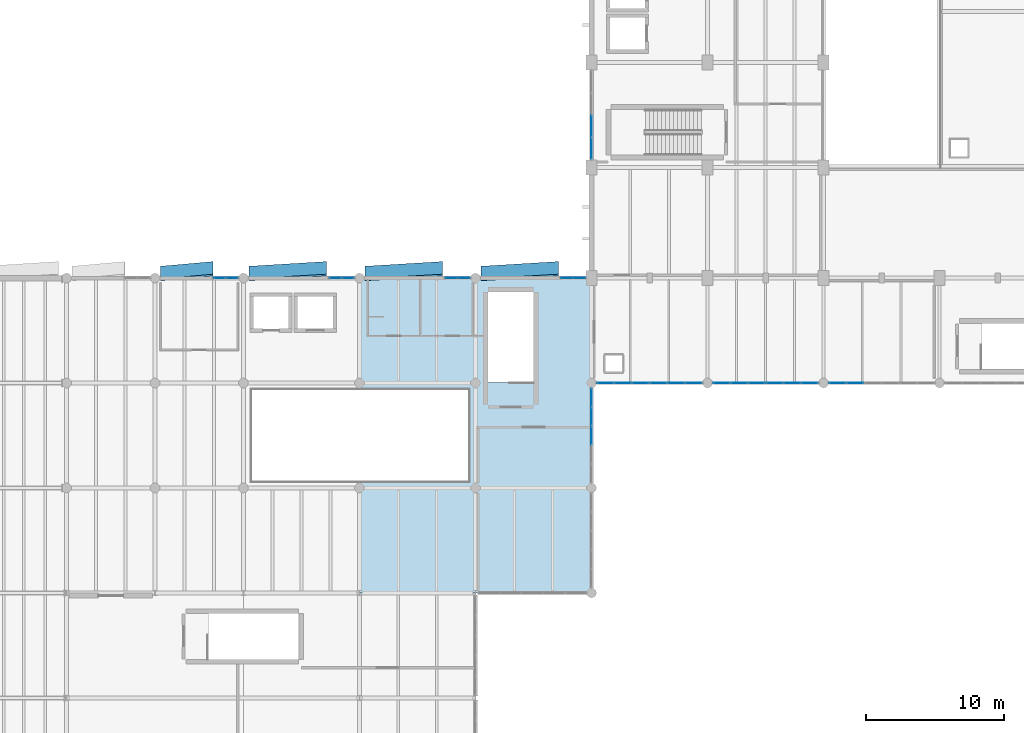
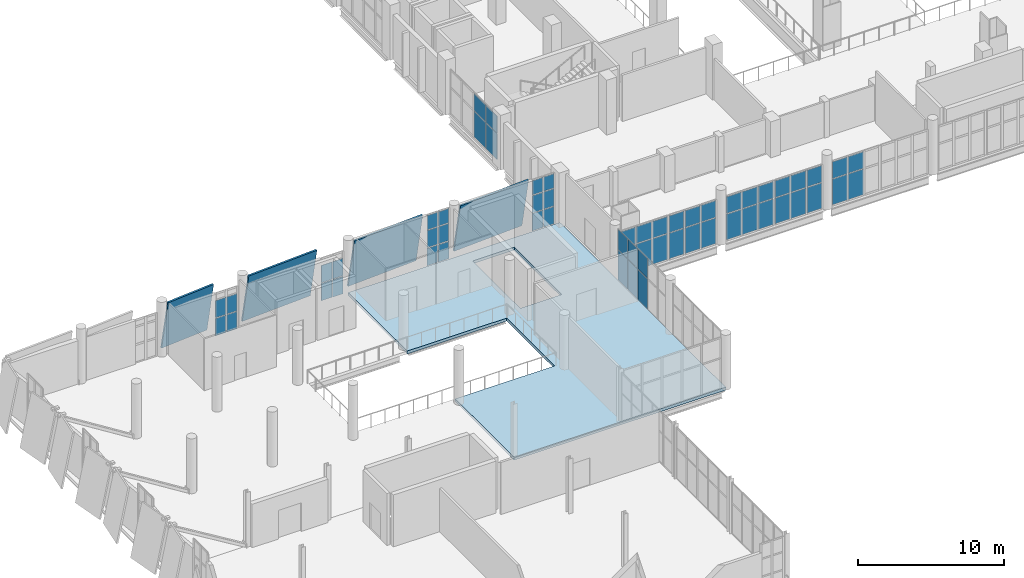
# One storey, part 51 of 74: 62 plates, 1 slab, 11 elements without a shape of their own.
"""IFC4 building model written with IfcOpenShell, lengths in metres."""

from ifc_helpers import new_model, si_unit, direction, frame, origin, origin_2d, place, context, subcontext, project, spatial, polyline, rectangle, outline, extrude, material, layer, layer_set, type_object, element, aggregate, save


model = new_model("IFC4")

# Units and contexts
model_context = context("Model", 3, precision=1e-05, world=origin(), true_north=direction((0.0, 1.0)))
body_context = subcontext(model_context, "Body", "Model", "MODEL_VIEW")
ifc_project = project(units=[si_unit("LENGTHUNIT", "METRE"), si_unit("AREAUNIT", "SQUARE_METRE"), si_unit("VOLUMEUNIT", "CUBIC_METRE"), si_unit("PLANEANGLEUNIT", "RADIAN"), si_unit("MASSUNIT", "GRAM", prefix="KILO")], contexts=[model_context])

# Site, building, storey
site_placement = place(None, origin())
site = spatial("IfcSite", under=ifc_project, at=site_placement, CompositionType="ELEMENT")
building_placement = place(site_placement, origin())
building = spatial("IfcBuilding", under=site, at=building_placement, Name="Shengluoqiao Park Theatre", CompositionType="ELEMENT")
storey_placement = place(building_placement, frame((0.0, 0.0, 14.60009765625)))
storey = spatial("IfcBuildingStorey", under=building, at=storey_placement, Name="L03", CompositionType="ELEMENT", Elevation=14.60009765625)

# Plates
ifc_material_1 = material(Name="Precast concrete C45", Category="concrete")
ifc_layer_1 = layer(ifc_material_1, 0.1298828125, Name="Precast concrete C45")
ifc_layer_set_1 = layer_set([ifc_layer_1], Name="Precast concrete C45")
plate_type_1 = type_object("IfcPlateType", Name="ENV-CRYS-CP-130", PredefinedType="USERDEFINED", material=ifc_layer_set_1)
plate_1_placement = place(storey_placement, frame((13.199951171875, 76.852783203125, -0.050048828125), z_axis=(-0.087270434328, 0.975135901161, 0.203700381834), x_axis=(0.996019160545, 0.08913939548, 0.0)))
element("IfcPlate", 1, at=plate_1_placement, inside=storey, type_object=plate_type_1, Name="V5 North L03 Tilted White Precast Crystal Panel 064", ObjectType="FACADE PANEL", PredefinedType="USERDEFINED", context=body_context, shape_type="SweptSolid", body=[
    extrude(outline(polyline([(0.0, 0.0), (3.815236672800778, 0.0), (3.7338665068588432, -4.463457122906095), (-0.08137016594193454, -4.463457122906095), (0.0, 0.0)])), origin(), (0.0, 0.0, -1.0), 0.1298828125),
])
plate_2_placement = place(storey_placement, frame((19.60009765625, 76.852783203125, -0.050048828125), z_axis=(-0.059343578405, 0.977145483042, 0.204120172138), x_axis=(0.998160924028, 0.060619879111, 0.0)))
element("IfcPlate", 2, at=plate_2_placement, inside=storey, type_object=plate_type_1, Name="V5 North L03 Tilted White Precast Crystal Panel 065", ObjectType="FACADE PANEL", PredefinedType="USERDEFINED", context=body_context, shape_type="SweptSolid", body=[
    extrude(outline(polyline([(0.0, 0.0), (5.610171046394881, 1.3877787807814457e-17), (5.554834687020768, -4.463855786117848), (-0.05533635937411349, -4.463855786117848), (0.0, 0.0)])), origin(), (0.0, 0.0, -1.0), 0.1298828125),
])
for number, where, z_axis, x_axis, name in (
    (3, (28.0, 76.852783203125, -0.050048828125), (-0.059341000386, 0.977145633059, 0.204120203475), (0.998161083934, 0.060617246051, 0.0), "V5 North L03 Tilted White Precast Crystal Panel 066"),
    (4, (36.39990234375, 76.852783203125, -0.050048828125), (-0.059341000386, 0.977145633059, 0.204120203475), (0.998161083934, 0.060617246051, 0.0), "V5 North L03 Tilted White Precast Crystal Panel 067"),
):
    element("IfcPlate", number, at=place(storey_placement, frame(where, z_axis=z_axis, x_axis=x_axis)), inside=storey, type_object=plate_type_1, Name=name, ObjectType="FACADE PANEL", PredefinedType="USERDEFINED", context=body_context, shape_type="SweptSolid", body=[
        extrude(outline(polyline([(0.0, 0.0), (5.610414738046244, 0.0), (5.555080782239322, -4.4638558159131145), (-0.05533395580692177, -4.4638558159131145), (0.0, 0.0)])), origin(), (0.0, 0.0, -1.0), 0.1298828125),
    ])

# Curtain wall, plates
ifc_material_2 = material(Name="Aluminium 6063-T6", Category="aluminium")
curtain_wall_type_1 = type_object("IfcCurtainWallType", Name="ENV-CW-FOYER", PredefinedType="NOTDEFINED", material=ifc_material_2)
curtain_wall_1_placement = place(storey_placement, origin())
curtain_wall_1 = element("IfcCurtainWall", 5, at=curtain_wall_1_placement, inside=storey, type_object=curtain_wall_type_1, Name="L03 Curtain Wall CW-L03-0077", PredefinedType="NOTDEFINED")
ifc_material_3 = material(Name="Insulated glass", Category="glass")
ifc_layer_2 = layer(ifc_material_3, 0.0380859375, Name="Insulated glass")
ifc_layer_set_2 = layer_set([ifc_layer_2], Name="Insulated glass")
plate_type_2 = type_object("IfcPlateType", Name="ENV-GLZ-GL-38", PredefinedType="CURTAIN_PANEL", material=ifc_layer_set_2)
plate_3_placement = place(storey_placement, frame((17.46728515625, 76.0, 0.06494140625), z_axis=(0.0, 0.0, 1.0), x_axis=(1.0, 0.0, 0.0)))
plate_3 = element("IfcPlate", 6, at=plate_3_placement, type_object=plate_type_2, Name="CW-01 panel 1.1", PredefinedType="CURTAIN_PANEL", context=body_context, shape_type="SweptSolid", body=[
    extrude(rectangle(XDim=0.83251953125, YDim=0.0380859375, at=origin_2d()), origin(), (0.0, 0.0, 1.0), 1.452392578125),
])
plate_4_placement = place(storey_placement, frame((17.46728515625, 76.0, 1.582275390625), z_axis=(0.0, 0.0, 1.0), x_axis=(1.0, 0.0, 0.0)))
plate_4 = element("IfcPlate", 7, at=plate_4_placement, type_object=plate_type_2, Name="CW-01 panel 1.2", PredefinedType="CURTAIN_PANEL", context=body_context, shape_type="SweptSolid", body=[
    extrude(rectangle(XDim=0.83251953125, YDim=0.0380859375, at=origin_2d()), origin(), (0.0, 0.0, 1.0), 1.43505859375),
])
plate_5_placement = place(storey_placement, frame((18.36474609375, 76.0, 0.06494140625), z_axis=(0.0, 0.0, 1.0), x_axis=(1.0, 0.0, 0.0)))
plate_5 = element("IfcPlate", 8, at=plate_5_placement, type_object=plate_type_2, Name="CW-01 panel 2.1", PredefinedType="CURTAIN_PANEL", context=body_context, shape_type="SweptSolid", body=[
    extrude(rectangle(XDim=0.83251953125, YDim=0.0380859375, at=origin_2d()), origin(), (0.0, 0.0, 1.0), 1.452392578125),
])
plate_6_placement = place(storey_placement, frame((18.36474609375, 76.0, 1.582275390625), z_axis=(0.0, 0.0, 1.0), x_axis=(1.0, 0.0, 0.0)))
plate_6 = element("IfcPlate", 9, at=plate_6_placement, type_object=plate_type_2, Name="CW-01 panel 2.2", PredefinedType="CURTAIN_PANEL", context=body_context, shape_type="SweptSolid", body=[
    extrude(rectangle(XDim=0.83251953125, YDim=0.0380859375, at=origin_2d()), origin(), (0.0, 0.0, 1.0), 1.43505859375),
])
aggregate(curtain_wall_1, [plate_3, plate_4, plate_5, plate_6])

curtain_wall_2_placement = place(storey_placement, origin())
curtain_wall_2 = element("IfcCurtainWall", 10, at=curtain_wall_2_placement, inside=storey, type_object=curtain_wall_type_1, Name="L03 Curtain Wall CW-L03-0078", PredefinedType="NOTDEFINED")
plate_7_placement = place(storey_placement, frame((25.8671875, 76.0, 0.06494140625), z_axis=(0.0, 0.0, 1.0), x_axis=(1.0, 0.0, 0.0)))
plate_7 = element("IfcPlate", 11, at=plate_7_placement, type_object=plate_type_2, Name="CW-01 panel 1.1", PredefinedType="CURTAIN_PANEL", context=body_context, shape_type="SweptSolid", body=[
    extrude(rectangle(XDim=0.83251953125, YDim=0.0380859375, at=origin_2d()), origin(), (0.0, 0.0, 1.0), 1.452392578125),
])
plate_8_placement = place(storey_placement, frame((25.8671875, 76.0, 1.582275390625), z_axis=(0.0, 0.0, 1.0), x_axis=(1.0, 0.0, 0.0)))
plate_8 = element("IfcPlate", 12, at=plate_8_placement, type_object=plate_type_2, Name="CW-01 panel 1.2", PredefinedType="CURTAIN_PANEL", context=body_context, shape_type="SweptSolid", body=[
    extrude(rectangle(XDim=0.83251953125, YDim=0.0380859375, at=origin_2d()), origin(), (0.0, 0.0, 1.0), 1.43505859375),
])
plate_9_placement = place(storey_placement, frame((26.7646484375, 76.0, 0.06494140625), z_axis=(0.0, 0.0, 1.0), x_axis=(1.0, 0.0, 0.0)))
plate_9 = element("IfcPlate", 13, at=plate_9_placement, type_object=plate_type_2, Name="CW-01 panel 2.1", PredefinedType="CURTAIN_PANEL", context=body_context, shape_type="SweptSolid", body=[
    extrude(rectangle(XDim=0.83251953125, YDim=0.0380859375, at=origin_2d()), origin(), (0.0, 0.0, 1.0), 1.452392578125),
])
plate_10_placement = place(storey_placement, frame((26.7646484375, 76.0, 1.582275390625), z_axis=(0.0, 0.0, 1.0), x_axis=(1.0, 0.0, 0.0)))
plate_10 = element("IfcPlate", 14, at=plate_10_placement, type_object=plate_type_2, Name="CW-01 panel 2.2", PredefinedType="CURTAIN_PANEL", context=body_context, shape_type="SweptSolid", body=[
    extrude(rectangle(XDim=0.83251953125, YDim=0.0380859375, at=origin_2d()), origin(), (0.0, 0.0, 1.0), 1.43505859375),
])
aggregate(curtain_wall_2, [plate_7, plate_8, plate_9, plate_10])

curtain_wall_3_placement = place(storey_placement, origin())
curtain_wall_3 = element("IfcCurtainWall", 15, at=curtain_wall_3_placement, inside=storey, type_object=curtain_wall_type_1, Name="L03 Curtain Wall CW-L03-0079", PredefinedType="NOTDEFINED")
plate_11_placement = place(storey_placement, frame((34.267333984375, 76.0, 0.06494140625), z_axis=(0.0, 0.0, 1.0), x_axis=(1.0, 0.0, 0.0)))
plate_11 = element("IfcPlate", 16, at=plate_11_placement, type_object=plate_type_2, Name="CW-01 panel 1.1", PredefinedType="CURTAIN_PANEL", context=body_context, shape_type="SweptSolid", body=[
    extrude(rectangle(XDim=0.83251953125, YDim=0.0380859375, at=origin_2d()), origin(), (0.0, 0.0, 1.0), 1.452392578125),
])
plate_12_placement = place(storey_placement, frame((34.267333984375, 76.0, 1.582275390625), z_axis=(0.0, 0.0, 1.0), x_axis=(1.0, 0.0, 0.0)))
plate_12 = element("IfcPlate", 17, at=plate_12_placement, type_object=plate_type_2, Name="CW-01 panel 1.2", PredefinedType="CURTAIN_PANEL", context=body_context, shape_type="SweptSolid", body=[
    extrude(rectangle(XDim=0.83251953125, YDim=0.0380859375, at=origin_2d()), origin(), (0.0, 0.0, 1.0), 1.43505859375),
])
plate_13_placement = place(storey_placement, frame((34.267333984375, 76.0, 3.08251953125), z_axis=(0.0, 0.0, 1.0), x_axis=(1.0, 0.0, 0.0)))
plate_13 = element("IfcPlate", 18, at=plate_13_placement, type_object=plate_type_2, Name="CW-01 panel 1.3", PredefinedType="CURTAIN_PANEL", context=body_context, shape_type="SweptSolid", body=[
    extrude(rectangle(XDim=0.83251953125, YDim=0.0380859375, at=origin_2d()), origin(), (0.0, 0.0, 1.0), 1.1923828125),
])
plate_14_placement = place(storey_placement, frame((35.164794921875, 76.0, 0.06494140625), z_axis=(0.0, 0.0, 1.0), x_axis=(1.0, 0.0, 0.0)))
plate_14 = element("IfcPlate", 19, at=plate_14_placement, type_object=plate_type_2, Name="CW-01 panel 2.1", PredefinedType="CURTAIN_PANEL", context=body_context, shape_type="SweptSolid", body=[
    extrude(rectangle(XDim=0.83251953125, YDim=0.0380859375, at=origin_2d()), origin(), (0.0, 0.0, 1.0), 1.452392578125),
])
plate_15_placement = place(storey_placement, frame((35.164794921875, 76.0, 1.582275390625), z_axis=(0.0, 0.0, 1.0), x_axis=(1.0, 0.0, 0.0)))
plate_15 = element("IfcPlate", 20, at=plate_15_placement, type_object=plate_type_2, Name="CW-01 panel 2.2", PredefinedType="CURTAIN_PANEL", context=body_context, shape_type="SweptSolid", body=[
    extrude(rectangle(XDim=0.83251953125, YDim=0.0380859375, at=origin_2d()), origin(), (0.0, 0.0, 1.0), 1.43505859375),
])
plate_16_placement = place(storey_placement, frame((35.164794921875, 76.0, 3.08251953125), z_axis=(0.0, 0.0, 1.0), x_axis=(1.0, 0.0, 0.0)))
plate_16 = element("IfcPlate", 21, at=plate_16_placement, type_object=plate_type_2, Name="CW-01 panel 2.3", PredefinedType="CURTAIN_PANEL", context=body_context, shape_type="SweptSolid", body=[
    extrude(rectangle(XDim=0.83251953125, YDim=0.0380859375, at=origin_2d()), origin(), (0.0, 0.0, 1.0), 1.1923828125),
])
aggregate(curtain_wall_3, [plate_11, plate_12, plate_13, plate_14, plate_15, plate_16])

curtain_wall_4_placement = place(storey_placement, origin())
curtain_wall_4 = element("IfcCurtainWall", 22, at=curtain_wall_4_placement, inside=storey, type_object=curtain_wall_type_1, Name="L03 Curtain Wall CW-L03-0080", PredefinedType="NOTDEFINED")
plate_17_placement = place(storey_placement, frame((42.6171875, 76.0, 0.06494140625), z_axis=(0.0, 0.0, 1.0), x_axis=(1.0, 0.0, 0.0)))
plate_17 = element("IfcPlate", 23, at=plate_17_placement, type_object=plate_type_2, Name="CW-01 panel 1.1", PredefinedType="CURTAIN_PANEL", context=body_context, shape_type="SweptSolid", body=[
    extrude(rectangle(XDim=0.83251953125, YDim=0.0380859375, at=origin_2d()), origin(), (0.0, 0.0, 1.0), 1.452392578125),
])
plate_18_placement = place(storey_placement, frame((42.6171875, 76.0, 1.582275390625), z_axis=(0.0, 0.0, 1.0), x_axis=(1.0, 0.0, 0.0)))
plate_18 = element("IfcPlate", 24, at=plate_18_placement, type_object=plate_type_2, Name="CW-01 panel 1.2", PredefinedType="CURTAIN_PANEL", context=body_context, shape_type="SweptSolid", body=[
    extrude(rectangle(XDim=0.83251953125, YDim=0.0380859375, at=origin_2d()), origin(), (0.0, 0.0, 1.0), 1.43505859375),
])
plate_19_placement = place(storey_placement, frame((42.6171875, 76.0, 3.08251953125), z_axis=(0.0, 0.0, 1.0), x_axis=(1.0, 0.0, 0.0)))
plate_19 = element("IfcPlate", 25, at=plate_19_placement, type_object=plate_type_2, Name="CW-01 panel 1.3", PredefinedType="CURTAIN_PANEL", context=body_context, shape_type="SweptSolid", body=[
    extrude(rectangle(XDim=0.83251953125, YDim=0.0380859375, at=origin_2d()), origin(), (0.0, 0.0, 1.0), 1.1923828125),
])
plate_20_placement = place(storey_placement, frame((43.5146484375, 76.0, 0.06494140625), z_axis=(0.0, 0.0, 1.0), x_axis=(1.0, 0.0, 0.0)))
plate_20 = element("IfcPlate", 26, at=plate_20_placement, type_object=plate_type_2, Name="CW-01 panel 2.1", PredefinedType="CURTAIN_PANEL", context=body_context, shape_type="SweptSolid", body=[
    extrude(rectangle(XDim=0.83251953125, YDim=0.0380859375, at=origin_2d()), origin(), (0.0, 0.0, 1.0), 1.452392578125),
])
plate_21_placement = place(storey_placement, frame((43.5146484375, 76.0, 1.582275390625), z_axis=(0.0, 0.0, 1.0), x_axis=(1.0, 0.0, 0.0)))
plate_21 = element("IfcPlate", 27, at=plate_21_placement, type_object=plate_type_2, Name="CW-01 panel 2.2", PredefinedType="CURTAIN_PANEL", context=body_context, shape_type="SweptSolid", body=[
    extrude(rectangle(XDim=0.83251953125, YDim=0.0380859375, at=origin_2d()), origin(), (0.0, 0.0, 1.0), 1.43505859375),
])
plate_22_placement = place(storey_placement, frame((43.5146484375, 76.0, 3.08251953125), z_axis=(0.0, 0.0, 1.0), x_axis=(1.0, 0.0, 0.0)))
plate_22 = element("IfcPlate", 28, at=plate_22_placement, type_object=plate_type_2, Name="CW-01 panel 2.3", PredefinedType="CURTAIN_PANEL", context=body_context, shape_type="SweptSolid", body=[
    extrude(rectangle(XDim=0.83251953125, YDim=0.0380859375, at=origin_2d()), origin(), (0.0, 0.0, 1.0), 1.1923828125),
])
aggregate(curtain_wall_4, [plate_17, plate_18, plate_19, plate_20, plate_21, plate_22])

curtain_wall_type_2 = type_object("IfcCurtainWallType", Name="ENV-CW-PROM", PredefinedType="NOTDEFINED", material=ifc_material_2)
curtain_wall_5_placement = place(storey_placement, origin())
curtain_wall_5 = element("IfcCurtainWall", 29, at=curtain_wall_5_placement, inside=storey, type_object=curtain_wall_type_2, Name="L03 Curtain Wall CW-L03-0081", PredefinedType="NOTDEFINED")
plate_23_placement = place(storey_placement, frame((45.4111328125, 68.39990234375, 0.06494140625), z_axis=(0.0, 0.0, 1.0), x_axis=(1.0, 0.0, 0.0)))
plate_23 = element("IfcPlate", 30, at=plate_23_placement, type_object=plate_type_2, Name="CW-04 panel 1.1", PredefinedType="CURTAIN_PANEL", context=body_context, shape_type="SweptSolid", body=[
    extrude(rectangle(XDim=1.1845703125, YDim=0.0380859375, at=origin_2d()), origin(), (0.0, 0.0, 1.0), 2.1416015625),
])
plate_24_placement = place(storey_placement, frame((45.4111328125, 68.39990234375, 2.271484375), z_axis=(0.0, 0.0, 1.0), x_axis=(1.0, 0.0, 0.0)))
plate_24 = element("IfcPlate", 31, at=plate_24_placement, type_object=plate_type_2, Name="CW-04 panel 1.2", PredefinedType="CURTAIN_PANEL", context=body_context, shape_type="SweptSolid", body=[
    extrude(rectangle(XDim=1.1845703125, YDim=0.0380859375, at=origin_2d()), origin(), (0.0, 0.0, 1.0), 1.3955078125),
])
plate_25_placement = place(storey_placement, frame((46.677001953125, 68.39990234375, 0.06494140625), z_axis=(0.0, 0.0, 1.0), x_axis=(1.0, 0.0, 0.0)))
plate_25 = element("IfcPlate", 32, at=plate_25_placement, type_object=plate_type_2, Name="CW-04 panel 2.1", PredefinedType="CURTAIN_PANEL", context=body_context, shape_type="SweptSolid", body=[
    extrude(rectangle(XDim=1.217041015625, YDim=0.0380859375, at=origin_2d()), origin(), (0.0, 0.0, 1.0), 2.1416015625),
])
plate_26_placement = place(storey_placement, frame((46.677001953125, 68.39990234375, 2.271484375), z_axis=(0.0, 0.0, 1.0), x_axis=(1.0, 0.0, 0.0)))
plate_26 = element("IfcPlate", 33, at=plate_26_placement, type_object=plate_type_2, Name="CW-04 panel 2.2", PredefinedType="CURTAIN_PANEL", context=body_context, shape_type="SweptSolid", body=[
    extrude(rectangle(XDim=1.217041015625, YDim=0.0380859375, at=origin_2d()), origin(), (0.0, 0.0, 1.0), 1.3955078125),
])
plate_27_placement = place(storey_placement, frame((47.94287109375, 68.39990234375, 0.06494140625), z_axis=(0.0, 0.0, 1.0), x_axis=(1.0, 0.0, 0.0)))
plate_27 = element("IfcPlate", 34, at=plate_27_placement, type_object=plate_type_2, Name="CW-04 panel 3.1", PredefinedType="CURTAIN_PANEL", context=body_context, shape_type="SweptSolid", body=[
    extrude(rectangle(XDim=1.1845703125, YDim=0.0380859375, at=origin_2d()), origin(), (0.0, 0.0, 1.0), 2.1416015625),
])
plate_28_placement = place(storey_placement, frame((47.94287109375, 68.39990234375, 2.271484375), z_axis=(0.0, 0.0, 1.0), x_axis=(1.0, 0.0, 0.0)))
plate_28 = element("IfcPlate", 35, at=plate_28_placement, type_object=plate_type_2, Name="CW-04 panel 3.2", PredefinedType="CURTAIN_PANEL", context=body_context, shape_type="SweptSolid", body=[
    extrude(rectangle(XDim=1.1845703125, YDim=0.0380859375, at=origin_2d()), origin(), (0.0, 0.0, 1.0), 1.3955078125),
])
aggregate(curtain_wall_5, [plate_23, plate_24, plate_25, plate_26, plate_27, plate_28])

curtain_wall_6_placement = place(storey_placement, origin())
curtain_wall_6 = element("IfcCurtainWall", 36, at=curtain_wall_6_placement, inside=storey, type_object=curtain_wall_type_2, Name="L03 Curtain Wall CW-L03-0082", PredefinedType="NOTDEFINED")
plate_29_placement = place(storey_placement, frame((49.25732421875, 68.39990234375, 0.06494140625), z_axis=(0.0, 0.0, 1.0), x_axis=(1.0, 0.0, 0.0)))
plate_29 = element("IfcPlate", 37, at=plate_29_placement, type_object=plate_type_2, Name="CW-04 panel 1.1", PredefinedType="CURTAIN_PANEL", context=body_context, shape_type="SweptSolid", body=[
    extrude(rectangle(XDim=1.1845703125, YDim=0.0380859375, at=origin_2d()), origin(), (0.0, 0.0, 1.0), 2.1416015625),
])
plate_30_placement = place(storey_placement, frame((49.25732421875, 68.39990234375, 2.271484375), z_axis=(0.0, 0.0, 1.0), x_axis=(1.0, 0.0, 0.0)))
plate_30 = element("IfcPlate", 38, at=plate_30_placement, type_object=plate_type_2, Name="CW-04 panel 1.2", PredefinedType="CURTAIN_PANEL", context=body_context, shape_type="SweptSolid", body=[
    extrude(rectangle(XDim=1.1845703125, YDim=0.0380859375, at=origin_2d()), origin(), (0.0, 0.0, 1.0), 1.3955078125),
])
plate_31_placement = place(storey_placement, frame((50.52294921875, 68.39990234375, 0.06494140625), z_axis=(0.0, 0.0, 1.0), x_axis=(1.0, 0.0, 0.0)))
plate_31 = element("IfcPlate", 39, at=plate_31_placement, type_object=plate_type_2, Name="CW-04 panel 2.1", PredefinedType="CURTAIN_PANEL", context=body_context, shape_type="SweptSolid", body=[
    extrude(rectangle(XDim=1.217041015625, YDim=0.0380859375, at=origin_2d()), origin(), (0.0, 0.0, 1.0), 2.1416015625),
])
plate_32_placement = place(storey_placement, frame((50.52294921875, 68.39990234375, 2.271484375), z_axis=(0.0, 0.0, 1.0), x_axis=(1.0, 0.0, 0.0)))
plate_32 = element("IfcPlate", 40, at=plate_32_placement, type_object=plate_type_2, Name="CW-04 panel 2.2", PredefinedType="CURTAIN_PANEL", context=body_context, shape_type="SweptSolid", body=[
    extrude(rectangle(XDim=1.217041015625, YDim=0.0380859375, at=origin_2d()), origin(), (0.0, 0.0, 1.0), 1.3955078125),
])
plate_33_placement = place(storey_placement, frame((51.788818359375, 68.39990234375, 0.06494140625), z_axis=(0.0, 0.0, 1.0), x_axis=(1.0, 0.0, 0.0)))
plate_33 = element("IfcPlate", 41, at=plate_33_placement, type_object=plate_type_2, Name="CW-04 panel 3.1", PredefinedType="CURTAIN_PANEL", context=body_context, shape_type="SweptSolid", body=[
    extrude(rectangle(XDim=1.1845703125, YDim=0.0380859375, at=origin_2d()), origin(), (0.0, 0.0, 1.0), 2.1416015625),
])
plate_34_placement = place(storey_placement, frame((51.788818359375, 68.39990234375, 2.271484375), z_axis=(0.0, 0.0, 1.0), x_axis=(1.0, 0.0, 0.0)))
plate_34 = element("IfcPlate", 42, at=plate_34_placement, type_object=plate_type_2, Name="CW-04 panel 3.2", PredefinedType="CURTAIN_PANEL", context=body_context, shape_type="SweptSolid", body=[
    extrude(rectangle(XDim=1.1845703125, YDim=0.0380859375, at=origin_2d()), origin(), (0.0, 0.0, 1.0), 1.3955078125),
])
aggregate(curtain_wall_6, [plate_29, plate_30, plate_31, plate_32, plate_33, plate_34])

curtain_wall_7_placement = place(storey_placement, origin())
curtain_wall_7 = element("IfcCurtainWall", 43, at=curtain_wall_7_placement, inside=storey, type_object=curtain_wall_type_2, Name="L03 Curtain Wall CW-L03-0083", PredefinedType="NOTDEFINED")
plate_35_placement = place(storey_placement, frame((53.811279296875, 68.39990234375, 0.06494140625), z_axis=(0.0, 0.0, 1.0), x_axis=(1.0, 0.0, 0.0)))
plate_35 = element("IfcPlate", 44, at=plate_35_placement, type_object=plate_type_2, Name="CW-04 panel 1.1", PredefinedType="CURTAIN_PANEL", context=body_context, shape_type="SweptSolid", body=[
    extrude(rectangle(XDim=1.1845703125, YDim=0.0380859375, at=origin_2d()), origin(), (0.0, 0.0, 1.0), 2.1416015625),
])
plate_36_placement = place(storey_placement, frame((53.811279296875, 68.39990234375, 2.271484375), z_axis=(0.0, 0.0, 1.0), x_axis=(1.0, 0.0, 0.0)))
plate_36 = element("IfcPlate", 45, at=plate_36_placement, type_object=plate_type_2, Name="CW-04 panel 1.2", PredefinedType="CURTAIN_PANEL", context=body_context, shape_type="SweptSolid", body=[
    extrude(rectangle(XDim=1.1845703125, YDim=0.0380859375, at=origin_2d()), origin(), (0.0, 0.0, 1.0), 1.3955078125),
])
plate_37_placement = place(storey_placement, frame((55.076904296875, 68.39990234375, 0.06494140625), z_axis=(0.0, 0.0, 1.0), x_axis=(1.0, 0.0, 0.0)))
plate_37 = element("IfcPlate", 46, at=plate_37_placement, type_object=plate_type_2, Name="CW-04 panel 2.1", PredefinedType="CURTAIN_PANEL", context=body_context, shape_type="SweptSolid", body=[
    extrude(rectangle(XDim=1.217041015625, YDim=0.0380859375, at=origin_2d()), origin(), (0.0, 0.0, 1.0), 2.1416015625),
])
plate_38_placement = place(storey_placement, frame((55.076904296875, 68.39990234375, 2.271484375), z_axis=(0.0, 0.0, 1.0), x_axis=(1.0, 0.0, 0.0)))
plate_38 = element("IfcPlate", 47, at=plate_38_placement, type_object=plate_type_2, Name="CW-04 panel 2.2", PredefinedType="CURTAIN_PANEL", context=body_context, shape_type="SweptSolid", body=[
    extrude(rectangle(XDim=1.217041015625, YDim=0.0380859375, at=origin_2d()), origin(), (0.0, 0.0, 1.0), 1.3955078125),
])
plate_39_placement = place(storey_placement, frame((56.3427734375, 68.39990234375, 0.06494140625), z_axis=(0.0, 0.0, 1.0), x_axis=(1.0, 0.0, 0.0)))
plate_39 = element("IfcPlate", 48, at=plate_39_placement, type_object=plate_type_2, Name="CW-04 panel 3.1", PredefinedType="CURTAIN_PANEL", context=body_context, shape_type="SweptSolid", body=[
    extrude(rectangle(XDim=1.1845703125, YDim=0.0380859375, at=origin_2d()), origin(), (0.0, 0.0, 1.0), 2.1416015625),
])
plate_40_placement = place(storey_placement, frame((56.3427734375, 68.39990234375, 2.271484375), z_axis=(0.0, 0.0, 1.0), x_axis=(1.0, 0.0, 0.0)))
plate_40 = element("IfcPlate", 49, at=plate_40_placement, type_object=plate_type_2, Name="CW-04 panel 3.2", PredefinedType="CURTAIN_PANEL", context=body_context, shape_type="SweptSolid", body=[
    extrude(rectangle(XDim=1.1845703125, YDim=0.0380859375, at=origin_2d()), origin(), (0.0, 0.0, 1.0), 1.3955078125),
])
aggregate(curtain_wall_7, [plate_35, plate_36, plate_37, plate_38, plate_39, plate_40])

curtain_wall_8_placement = place(storey_placement, origin())
curtain_wall_8 = element("IfcCurtainWall", 50, at=curtain_wall_8_placement, inside=storey, type_object=curtain_wall_type_2, Name="L03 Curtain Wall CW-L03-0084", PredefinedType="NOTDEFINED")
plate_41_placement = place(storey_placement, frame((57.6572265625, 68.39990234375, 0.06494140625), z_axis=(0.0, 0.0, 1.0), x_axis=(1.0, 0.0, 0.0)))
plate_41 = element("IfcPlate", 51, at=plate_41_placement, type_object=plate_type_2, Name="CW-04 panel 1.1", PredefinedType="CURTAIN_PANEL", context=body_context, shape_type="SweptSolid", body=[
    extrude(rectangle(XDim=1.1845703125, YDim=0.0380859375, at=origin_2d()), origin(), (0.0, 0.0, 1.0), 2.1416015625),
])
plate_42_placement = place(storey_placement, frame((57.6572265625, 68.39990234375, 2.271484375), z_axis=(0.0, 0.0, 1.0), x_axis=(1.0, 0.0, 0.0)))
plate_42 = element("IfcPlate", 52, at=plate_42_placement, type_object=plate_type_2, Name="CW-04 panel 1.2", PredefinedType="CURTAIN_PANEL", context=body_context, shape_type="SweptSolid", body=[
    extrude(rectangle(XDim=1.1845703125, YDim=0.0380859375, at=origin_2d()), origin(), (0.0, 0.0, 1.0), 1.3955078125),
])
plate_43_placement = place(storey_placement, frame((58.923095703125, 68.39990234375, 0.06494140625), z_axis=(0.0, 0.0, 1.0), x_axis=(1.0, 0.0, 0.0)))
plate_43 = element("IfcPlate", 53, at=plate_43_placement, type_object=plate_type_2, Name="CW-04 panel 2.1", PredefinedType="CURTAIN_PANEL", context=body_context, shape_type="SweptSolid", body=[
    extrude(rectangle(XDim=1.217041015625, YDim=0.0380859375, at=origin_2d()), origin(), (0.0, 0.0, 1.0), 2.1416015625),
])
plate_44_placement = place(storey_placement, frame((58.923095703125, 68.39990234375, 2.271484375), z_axis=(0.0, 0.0, 1.0), x_axis=(1.0, 0.0, 0.0)))
plate_44 = element("IfcPlate", 54, at=plate_44_placement, type_object=plate_type_2, Name="CW-04 panel 2.2", PredefinedType="CURTAIN_PANEL", context=body_context, shape_type="SweptSolid", body=[
    extrude(rectangle(XDim=1.217041015625, YDim=0.0380859375, at=origin_2d()), origin(), (0.0, 0.0, 1.0), 1.3955078125),
])
plate_45_placement = place(storey_placement, frame((60.188720703125, 68.39990234375, 0.06494140625), z_axis=(0.0, 0.0, 1.0), x_axis=(1.0, 0.0, 0.0)))
plate_45 = element("IfcPlate", 55, at=plate_45_placement, type_object=plate_type_2, Name="CW-04 panel 3.1", PredefinedType="CURTAIN_PANEL", context=body_context, shape_type="SweptSolid", body=[
    extrude(rectangle(XDim=1.1845703125, YDim=0.0380859375, at=origin_2d()), origin(), (0.0, 0.0, 1.0), 2.1416015625),
])
plate_46_placement = place(storey_placement, frame((60.188720703125, 68.39990234375, 2.271484375), z_axis=(0.0, 0.0, 1.0), x_axis=(1.0, 0.0, 0.0)))
plate_46 = element("IfcPlate", 56, at=plate_46_placement, type_object=plate_type_2, Name="CW-04 panel 3.2", PredefinedType="CURTAIN_PANEL", context=body_context, shape_type="SweptSolid", body=[
    extrude(rectangle(XDim=1.1845703125, YDim=0.0380859375, at=origin_2d()), origin(), (0.0, 0.0, 1.0), 1.3955078125),
])
aggregate(curtain_wall_8, [plate_41, plate_42, plate_43, plate_44, plate_45, plate_46])

curtain_wall_9_placement = place(storey_placement, origin())
curtain_wall_9 = element("IfcCurtainWall", 57, at=curtain_wall_9_placement, inside=storey, type_object=curtain_wall_type_2, Name="L03 Curtain Wall CW-L03-0085", PredefinedType="NOTDEFINED")
plate_47_placement = place(storey_placement, frame((62.211181640625, 68.39990234375, 0.06494140625), z_axis=(0.0, 0.0, 1.0), x_axis=(1.0, 0.0, 0.0)))
plate_47 = element("IfcPlate", 58, at=plate_47_placement, type_object=plate_type_2, Name="CW-04 panel 1.1", PredefinedType="CURTAIN_PANEL", context=body_context, shape_type="SweptSolid", body=[
    extrude(rectangle(XDim=1.1845703125, YDim=0.0380859375, at=origin_2d()), origin(), (0.0, 0.0, 1.0), 2.1416015625),
])
plate_48_placement = place(storey_placement, frame((62.211181640625, 68.39990234375, 2.271484375), z_axis=(0.0, 0.0, 1.0), x_axis=(1.0, 0.0, 0.0)))
plate_48 = element("IfcPlate", 59, at=plate_48_placement, type_object=plate_type_2, Name="CW-04 panel 1.2", PredefinedType="CURTAIN_PANEL", context=body_context, shape_type="SweptSolid", body=[
    extrude(rectangle(XDim=1.1845703125, YDim=0.0380859375, at=origin_2d()), origin(), (0.0, 0.0, 1.0), 1.3955078125),
])
plate_49_placement = place(storey_placement, frame((63.47705078125, 68.39990234375, 0.06494140625), z_axis=(0.0, 0.0, 1.0), x_axis=(1.0, 0.0, 0.0)))
plate_49 = element("IfcPlate", 60, at=plate_49_placement, type_object=plate_type_2, Name="CW-04 panel 2.1", PredefinedType="CURTAIN_PANEL", context=body_context, shape_type="SweptSolid", body=[
    extrude(rectangle(XDim=1.217041015625, YDim=0.0380859375, at=origin_2d()), origin(), (0.0, 0.0, 1.0), 2.1416015625),
])
plate_50_placement = place(storey_placement, frame((63.47705078125, 68.39990234375, 2.271484375), z_axis=(0.0, 0.0, 1.0), x_axis=(1.0, 0.0, 0.0)))
plate_50 = element("IfcPlate", 61, at=plate_50_placement, type_object=plate_type_2, Name="CW-04 panel 2.2", PredefinedType="CURTAIN_PANEL", context=body_context, shape_type="SweptSolid", body=[
    extrude(rectangle(XDim=1.217041015625, YDim=0.0380859375, at=origin_2d()), origin(), (0.0, 0.0, 1.0), 1.3955078125),
])
aggregate(curtain_wall_9, [plate_47, plate_48, plate_49, plate_50])

curtain_wall_type_3 = type_object("IfcCurtainWallType", Name="ENV-CW-COURT", PredefinedType="NOTDEFINED", material=ifc_material_2)
curtain_wall_10_placement = place(storey_placement, origin())
curtain_wall_10 = element("IfcCurtainWall", 62, at=curtain_wall_10_placement, inside=storey, type_object=curtain_wall_type_3, Name="L03 Curtain Wall CWX-L03-0219", PredefinedType="NOTDEFINED")
plate_51_placement = place(storey_placement, frame((44.39990234375, 64.60009765625, 0.06005859375), z_axis=(0.0, 0.0, 1.0), x_axis=(0.0, 1.0, 0.0)))
plate_51 = element("IfcPlate", 63, at=plate_51_placement, type_object=plate_type_2, Name="CW-05 panel 3.1", PredefinedType="CURTAIN_PANEL", context=body_context, shape_type="SweptSolid", body=[
    extrude(rectangle(XDim=1.318359375, YDim=0.0380859375, at=origin_2d()), origin(), (0.0, 0.0, 1.0), 2.513916015625),
])
plate_52_placement = place(storey_placement, frame((44.39990234375, 64.60009765625, 2.6337890625), z_axis=(0.0, 0.0, 1.0), x_axis=(0.0, 1.0, 0.0)))
plate_52 = element("IfcPlate", 64, at=plate_52_placement, type_object=plate_type_2, Name="CW-05 panel 3.2", PredefinedType="CURTAIN_PANEL", context=body_context, shape_type="SweptSolid", body=[
    extrude(rectangle(XDim=1.318359375, YDim=0.0380859375, at=origin_2d()), origin(), (0.0, 0.0, 1.0), 1.64599609375),
])
plate_53_placement = place(storey_placement, frame((44.39990234375, 65.978515625, 0.06005859375), z_axis=(0.0, 0.0, 1.0), x_axis=(0.0, 1.0, 0.0)))
plate_53 = element("IfcPlate", 65, at=plate_53_placement, type_object=plate_type_2, Name="CW-05 panel 4.1", PredefinedType="CURTAIN_PANEL", context=body_context, shape_type="SweptSolid", body=[
    extrude(rectangle(XDim=1.318359375, YDim=0.0380859375, at=origin_2d()), origin(), (0.0, 0.0, 1.0), 2.513916015625),
])
plate_54_placement = place(storey_placement, frame((44.39990234375, 65.978515625, 2.6337890625), z_axis=(0.0, 0.0, 1.0), x_axis=(0.0, 1.0, 0.0)))
plate_54 = element("IfcPlate", 66, at=plate_54_placement, type_object=plate_type_2, Name="CW-05 panel 4.2", PredefinedType="CURTAIN_PANEL", context=body_context, shape_type="SweptSolid", body=[
    extrude(rectangle(XDim=1.318359375, YDim=0.0380859375, at=origin_2d()), origin(), (0.0, 0.0, 1.0), 1.64599609375),
])
plate_55_placement = place(storey_placement, frame((44.39990234375, 67.341796875, 0.06005859375), z_axis=(0.0, 0.0, 1.0), x_axis=(0.0, 1.0, 0.0)))
plate_55 = element("IfcPlate", 67, at=plate_55_placement, type_object=plate_type_2, Name="CW-05 panel 5.1", PredefinedType="CURTAIN_PANEL", context=body_context, shape_type="SweptSolid", body=[
    extrude(rectangle(XDim=1.288330078125, YDim=0.0380859375, at=origin_2d()), origin(), (0.0, 0.0, 1.0), 2.513916015625),
])
plate_56_placement = place(storey_placement, frame((44.39990234375, 67.341796875, 2.6337890625), z_axis=(0.0, 0.0, 1.0), x_axis=(0.0, 1.0, 0.0)))
plate_56 = element("IfcPlate", 68, at=plate_56_placement, type_object=plate_type_2, Name="CW-05 panel 5.2", PredefinedType="CURTAIN_PANEL", context=body_context, shape_type="SweptSolid", body=[
    extrude(rectangle(XDim=1.288330078125, YDim=0.0380859375, at=origin_2d()), origin(), (0.0, 0.0, 1.0), 1.64599609375),
])
aggregate(curtain_wall_10, [plate_51, plate_52, plate_53, plate_54, plate_55, plate_56])

curtain_wall_type_4 = type_object("IfcCurtainWallType", Name="ENV-CW-CLERE", PredefinedType="NOTDEFINED", material=ifc_material_2)
curtain_wall_11_placement = place(storey_placement, origin())
curtain_wall_11 = element("IfcCurtainWall", 69, at=curtain_wall_11_placement, inside=storey, type_object=curtain_wall_type_4, Name="L03 Curtain Wall CW-L03-0007", PredefinedType="NOTDEFINED")
ifc_layer_3 = layer(ifc_material_3, 0.048095703125, Name="Insulated glass")
ifc_layer_set_3 = layer_set([ifc_layer_3], Name="Insulated glass")
plate_type_3 = type_object("IfcPlateType", Name="ENV-GLZ-GL-48", PredefinedType="CURTAIN_PANEL", material=ifc_layer_set_3)
plate_57_placement = place(storey_placement, frame((44.39990234375, 85.3818359375, 0.06494140625), z_axis=(0.0, 0.0, 1.0), x_axis=(0.0, 1.0, 0.0)))
plate_57 = element("IfcPlate", 70, at=plate_57_placement, type_object=plate_type_3, Name="CW-06 panel 1.1", PredefinedType="CURTAIN_PANEL", context=body_context, shape_type="SweptSolid", body=[
    extrude(rectangle(XDim=1.525390625, YDim=0.048095703125, at=origin_2d()), origin(), (0.0, 0.0, 1.0), 2.152587890625),
])
plate_58_placement = place(storey_placement, frame((44.39990234375, 85.3818359375, 2.2822265625), z_axis=(0.0, 0.0, 1.0), x_axis=(0.0, 1.0, 0.0)))
plate_58 = element("IfcPlate", 71, at=plate_58_placement, type_object=plate_type_3, Name="CW-06 panel 1.2", PredefinedType="CURTAIN_PANEL", context=body_context, shape_type="SweptSolid", body=[
    extrude(rectangle(XDim=1.525390625, YDim=0.048095703125, at=origin_2d()), origin(), (0.0, 0.0, 1.0), 1.402587890625),
])
plate_59_placement = place(storey_placement, frame((44.39990234375, 86.988525390625, 0.06494140625), z_axis=(0.0, 0.0, 1.0), x_axis=(0.0, 1.0, 0.0)))
plate_59 = element("IfcPlate", 72, at=plate_59_placement, type_object=plate_type_3, Name="CW-06 panel 2.1", PredefinedType="CURTAIN_PANEL", context=body_context, shape_type="SweptSolid", body=[
    extrude(rectangle(XDim=1.55810546875, YDim=0.048095703125, at=origin_2d()), origin(), (0.0, 0.0, 1.0), 2.152587890625),
])
plate_60_placement = place(storey_placement, frame((44.39990234375, 86.988525390625, 2.2822265625), z_axis=(0.0, 0.0, 1.0), x_axis=(0.0, 1.0, 0.0)))
plate_60 = element("IfcPlate", 73, at=plate_60_placement, type_object=plate_type_3, Name="CW-06 panel 2.2", PredefinedType="CURTAIN_PANEL", context=body_context, shape_type="SweptSolid", body=[
    extrude(rectangle(XDim=1.55810546875, YDim=0.048095703125, at=origin_2d()), origin(), (0.0, 0.0, 1.0), 1.402587890625),
])
aggregate(curtain_wall_11, [plate_57, plate_58, plate_59, plate_60])

# Slab
ifc_material_4 = material(Name="Concrete C35", Category="concrete")
ifc_layer_4 = layer(ifc_material_4, 0.239990234375, Name="Concrete C35")
ifc_layer_set_4 = layer_set([ifc_layer_4], Name="Concrete C35")
slab_type = type_object("IfcSlabType", Name="STR-SLB-FL240", PredefinedType="FLOOR", material=ifc_layer_set_4)
slab_placement = place(storey_placement, frame((0.0, 0.0, -0.239990234375)))
element("IfcSlab", 74, at=slab_placement, inside=storey, type_object=slab_type, Name="Floor Slab L03-V5-CE", PredefinedType="FLOOR", context=body_context, shape_type="SweptSolid", body=[
    extrude(outline(polyline([(27.60009765625, 76.0), (44.39990234375, 76.0), (44.39990234375, 53.199951171875), (27.60009765625, 53.199951171875), (27.60009765625, 61.300048828125), (35.5, 61.300048828125), (35.5, 67.89990234375), (27.60009765625, 67.89990234375), (27.60009765625, 76.0)]), holes=[polyline([(40.199951171875, 68.4541015625), (40.199951171875, 75.0), (36.89990234375, 75.0), (36.89990234375, 68.4541015625), (40.199951171875, 68.4541015625)])]), origin(), (0.0, 0.0, 1.0), 0.239990234375),
])

save(model, "model.ifc")
